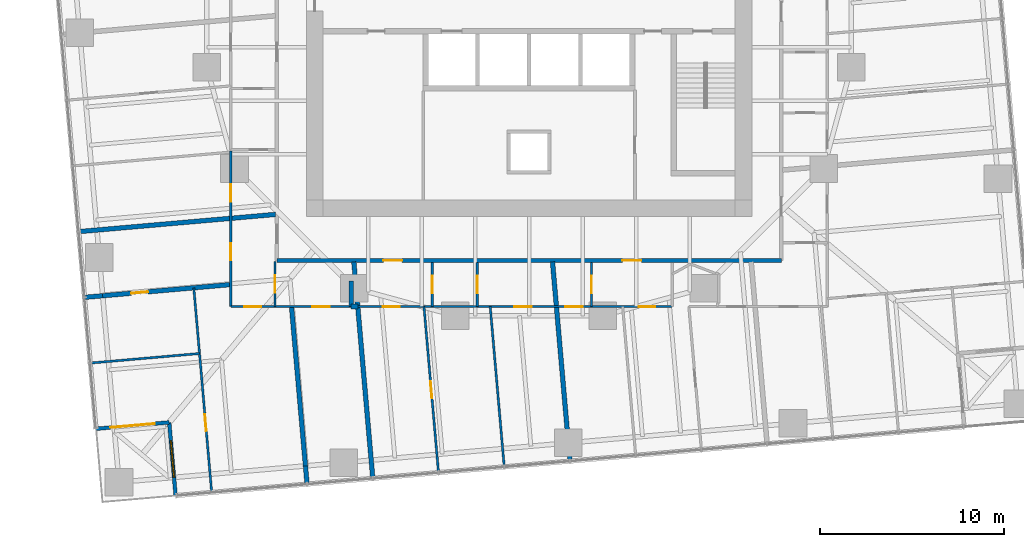
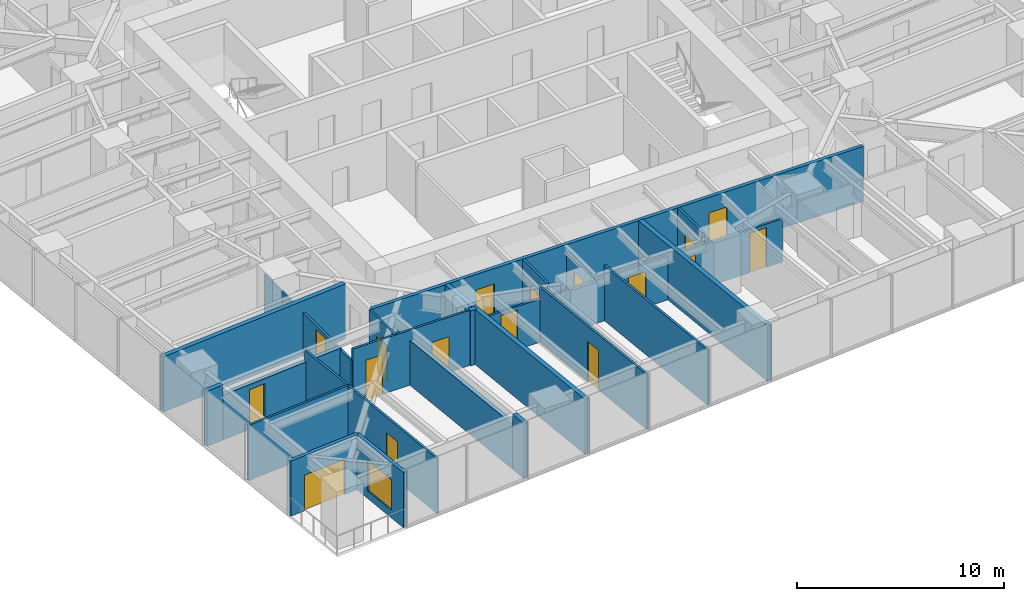
# One storey, part 8 of 14: 23 walls, 18 doors, 1 window, 19 openings.
"""IFC4 building model written with IfcOpenShell, lengths in metres."""

from ifc_helpers import new_model, si_unit, direction, frame, frame_2d, origin, place, context, subcontext, project, spatial, rectangle, extrude, material, layer, layer_set, type_object, element, fill, save


model = new_model("IFC4")

# Units and contexts
model_context = context("Model", 3, precision=1e-05, world=origin(), true_north=direction((0.0, 1.0)))
body_context = subcontext(model_context, "Body", "Model", "MODEL_VIEW")
ifc_project = project(units=[si_unit("LENGTHUNIT", "METRE"), si_unit("AREAUNIT", "SQUARE_METRE"), si_unit("VOLUMEUNIT", "CUBIC_METRE"), si_unit("PLANEANGLEUNIT", "RADIAN"), si_unit("MASSUNIT", "GRAM", prefix="KILO")], contexts=[model_context])

# Site, building, storey
site_placement = place(None, origin())
site = spatial("IfcSite", under=ifc_project, at=site_placement, CompositionType="ELEMENT")
building_placement = place(site_placement, origin())
building = spatial("IfcBuilding", under=site, at=building_placement, Name="Torsade Residences", CompositionType="ELEMENT")
storey_placement = place(building_placement, frame((0.0, 0.0, 57.39990234375)))
storey = spatial("IfcBuildingStorey", under=building, at=storey_placement, Name="L15", CompositionType="ELEMENT", Elevation=57.39990234375)

# Wall, openings, doors
ifc_material_1 = material(Name="Plasterboard on steel stud", Category="steel")
ifc_layer_1 = layer(ifc_material_1, 0.199951171875)
ifc_layer_set_1 = layer_set([ifc_layer_1], Name="Plasterboard on steel stud")
wall_type_1 = type_object("IfcWallType", Name="CORRIDOR WALL 200", PredefinedType="PARTITIONING", material=ifc_layer_set_1)
wall_1_placement = place(storey_placement, frame((26.300048828125, 15.5, 0.0), z_axis=(0.0, 0.0, 1.0), x_axis=(1.0, 0.0, 0.0)))
wall_1 = element("IfcWall", 1, at=wall_1_placement, inside=storey, type_object=wall_type_1, Name="Corridor wall L15", PredefinedType="PARTITIONING", context=body_context, shape_type="SweptSolid", body=[
    extrude(rectangle(XDim=27.39990234375, YDim=0.199951171875, at=frame_2d((13.699951171875, 0.0))), origin(), (0.0, 0.0, 1.0), 3.25),
])
opening_1_placement = place(wall_1_placement, frame((18.775634765625, 0.0, 0.0)))
opening_1 = element("IfcOpeningElement", 2, at=opening_1_placement, cuts=wall_1, Name="Opening D01", PredefinedType="OPENING", context=body_context, shape_type="SweptSolid", body=[
    extrude(rectangle(XDim=1.02001953125, YDim=2.340087890625, at=frame_2d((0.510009765625, 1.169921875))), frame((0.0, 0.10986328125, 0.0), z_axis=(0.0, -1.0, 0.0), x_axis=(1.0, 0.0, 0.0)), (0.0, 0.0, 1.0), 0.219970703125),
])
opening_2_placement = place(wall_1_placement, frame((5.79296875, 0.0, 0.0)))
opening_2 = element("IfcOpeningElement", 3, at=opening_2_placement, cuts=wall_1, Name="Opening D01", PredefinedType="OPENING", context=body_context, shape_type="SweptSolid", body=[
    extrude(rectangle(XDim=1.02001953125, YDim=2.340087890625, at=frame_2d((0.510009765625, 1.169921875))), frame((0.0, 0.10986328125, 0.0), z_axis=(0.0, -1.0, 0.0), x_axis=(1.0, 0.0, 0.0)), (0.0, 0.0, 1.0), 0.219970703125),
])
ifc_material_2 = material(Name="Solid-core timber fire door", Category="wood")
door_type_1 = type_object("IfcDoorType", Name="APARTMENT ENTRY DOOR 1020x2340", OperationType="NOTDEFINED", PredefinedType="DOOR", material=ifc_material_2)
door_1_placement = place(opening_1_placement, origin())
door_1 = element("IfcDoor", 4, at=door_1_placement, inside=storey, type_object=door_type_1, Name="Door Residential corridor to Kitchen and dining", OperationType="SINGLE_SWING_RIGHT", OverallHeight=2.340087890625, OverallWidth=1.02001953125, PredefinedType="DOOR", context=body_context, shape_type="SweptSolid", body=[
    extrude(rectangle(XDim=1.02001953125, YDim=2.340087890625, at=frame_2d((0.510009765625, 1.169921875))), frame((0.0, 0.02490234375, 0.0), z_axis=(0.0, -1.0, 0.0), x_axis=(1.0, 0.0, 0.0)), (0.0, 0.0, 1.0), 0.050048828125),
])
fill(opening_1, door_1)
door_2_placement = place(opening_2_placement, origin())
door_2 = element("IfcDoor", 5, at=door_2_placement, inside=storey, type_object=door_type_1, Name="Door Residential corridor to Kitchen and dining", OperationType="SINGLE_SWING_LEFT", OverallHeight=2.340087890625, OverallWidth=1.02001953125, PredefinedType="DOOR", context=body_context, shape_type="SweptSolid", body=[
    extrude(rectangle(XDim=1.02001953125, YDim=2.340087890625, at=frame_2d((0.510009765625, 1.169921875))), frame((0.0, 0.02490234375, 0.0), z_axis=(0.0, -1.0, 0.0), x_axis=(1.0, 0.0, 0.0)), (0.0, 0.0, 1.0), 0.050048828125),
])
fill(opening_2, door_2)

ifc_material_3 = material(Name="Plasterboard on steel stud", Category="steel")
ifc_layer_2 = layer(ifc_material_3, 0.1201171875)
ifc_layer_set_2 = layer_set([ifc_layer_2], Name="Plasterboard on steel stud")
wall_type_2 = type_object("IfcWallType", Name="PARTITION 120", PredefinedType="PARTITIONING", material=ifc_layer_set_2)
wall_2_placement = place(storey_placement, frame((23.800048828125, 13.0, 0.0), z_axis=(0.0, 0.0, 1.0), x_axis=(0.0, 1.0, 0.0)))
wall_2 = element("IfcWall", 6, at=wall_2_placement, inside=storey, type_object=wall_type_2, Name="Partition L15", PredefinedType="PARTITIONING", context=body_context, shape_type="SweptSolid", body=[
    extrude(rectangle(XDim=8.438720703125, YDim=0.1201171875, at=frame_2d((4.21923828125, 0.0))), origin(), (0.0, 0.0, 1.0), 2.549072265625),
])
opening_3_placement = place(wall_2_placement, frame((2.508056640625, 0.0, 0.0)))
opening_3 = element("IfcOpeningElement", 7, at=opening_3_placement, cuts=wall_2, Name="Opening D02", PredefinedType="OPENING", context=body_context, shape_type="SweptSolid", body=[
    extrude(rectangle(XDim=0.919921875, YDim=2.340087890625, at=frame_2d((0.4599609375, 1.169921875))), frame((0.0, 0.070068359375, 0.0), z_axis=(0.0, -1.0, 0.0), x_axis=(1.0, 0.0, 0.0)), (0.0, 0.0, 1.0), 0.14013671875),
])
opening_4_placement = place(wall_2_placement, frame((5.685302734375, 0.0, 0.0)))
opening_4 = element("IfcOpeningElement", 8, at=opening_4_placement, cuts=wall_2, Name="Opening D05", PredefinedType="OPENING", context=body_context, shape_type="SweptSolid", body=[
    extrude(rectangle(XDim=0.9599609375, YDim=2.10009765625, at=frame_2d((0.47998046875, 1.050048828125))), frame((0.0, 0.070068359375, 0.0), z_axis=(0.0, -1.0, 0.0), x_axis=(1.0, 0.0, 0.0)), (0.0, 0.0, 1.0), 0.14013671875),
])
ifc_material_4 = material(Name="Hollow-core timber door in a steel cavity frame", Category="steel")
door_type_2 = type_object("IfcDoorType", Name="BATHROOM CAVITY SLIDING DOOR 960", OperationType="SLIDING_TO_LEFT", PredefinedType="DOOR", material=ifc_material_4)
door_3_placement = place(opening_4_placement, origin())
door_3 = element("IfcDoor", 9, at=door_3_placement, inside=storey, type_object=door_type_2, Name="Door Bathroom to Bedroom 2", OperationType="SLIDING_TO_LEFT", OverallHeight=2.10009765625, OverallWidth=0.9599609375, PredefinedType="DOOR", context=body_context, shape_type="SweptSolid", body=[
    extrude(rectangle(XDim=0.9599609375, YDim=2.10009765625, at=frame_2d((0.47998046875, 1.050048828125))), frame((0.0, 0.02490234375, 0.0), z_axis=(0.0, -1.0, 0.0), x_axis=(1.0, 0.0, 0.0)), (0.0, 0.0, 1.0), 0.050048828125),
])
fill(opening_4, door_3)
ifc_material_5 = material(Name="Hollow-core timber door", Category="wood")
door_type_3 = type_object("IfcDoorType", Name="INTERNAL DOOR 920x2340", OperationType="NOTDEFINED", PredefinedType="DOOR", material=ifc_material_5)
door_4_placement = place(opening_3_placement, origin())
door_4 = element("IfcDoor", 10, at=door_4_placement, inside=storey, type_object=door_type_3, Name="Door Kitchen and dining to Study", OperationType="SINGLE_SWING_RIGHT", OverallHeight=2.340087890625, OverallWidth=0.919921875, PredefinedType="DOOR", context=body_context, shape_type="SweptSolid", body=[
    extrude(rectangle(XDim=0.919921875, YDim=2.340087890625, at=frame_2d((0.4599609375, 1.169921875))), frame((0.0, 0.02490234375, 0.0), z_axis=(0.0, -1.0, 0.0), x_axis=(1.0, 0.0, 0.0)), (0.0, 0.0, 1.0), 0.050048828125),
])
fill(opening_3, door_4)

# Wall, opening, door
wall_3_placement = place(storey_placement, frame((26.199951171875, 15.449951171875, 0.0), z_axis=(0.0, 0.0, 1.0), x_axis=(0.0, -1.0, 0.0)))
wall_3 = element("IfcWall", 11, at=wall_3_placement, inside=storey, type_object=wall_type_2, Name="Partition L15", PredefinedType="PARTITIONING", context=body_context, shape_type="SweptSolid", body=[
    extrude(rectangle(XDim=2.449951171875, YDim=0.1201171875, at=frame_2d((1.22509765625, 0.0))), origin(), (0.0, 0.0, 1.0), 3.25),
])
opening_5_placement = place(wall_3_placement, frame((0.7451171875, 0.0, 0.0)))
opening_5 = element("IfcOpeningElement", 12, at=opening_5_placement, cuts=wall_3, Name="Opening D05", PredefinedType="OPENING", context=body_context, shape_type="SweptSolid", body=[
    extrude(rectangle(XDim=0.9599609375, YDim=2.10009765625, at=frame_2d((0.47998046875, 1.050048828125))), frame((0.0, 0.070068359375, 0.0), z_axis=(0.0, -1.0, 0.0), x_axis=(1.0, 0.0, 0.0)), (0.0, 0.0, 1.0), 0.14013671875),
])
door_5_placement = place(opening_5_placement, origin())
door_5 = element("IfcDoor", 13, at=door_5_placement, inside=storey, type_object=door_type_2, Name="Door Kitchen and dining to Bathroom", OperationType="SLIDING_TO_LEFT", OverallHeight=2.10009765625, OverallWidth=0.9599609375, PredefinedType="DOOR", context=body_context, shape_type="SweptSolid", body=[
    extrude(rectangle(XDim=0.9599609375, YDim=2.10009765625, at=frame_2d((0.47998046875, 1.050048828125))), frame((0.0, 0.02490234375, 0.0), z_axis=(0.0, -1.0, 0.0), x_axis=(1.0, 0.0, 0.0)), (0.0, 0.0, 1.0), 0.050048828125),
])
fill(opening_5, door_5)

# Wall, openings, doors
wall_4_placement = place(storey_placement, frame((30.333251953125, 13.0, 0.0), z_axis=(0.0, 0.0, 1.0), x_axis=(-1.0, 0.0, 0.0)))
wall_4 = element("IfcWall", 14, at=wall_4_placement, inside=storey, type_object=wall_type_2, Name="Partition L15", PredefinedType="PARTITIONING", context=body_context, shape_type="SweptSolid", body=[
    extrude(rectangle(XDim=6.533203125, YDim=0.1201171875, at=frame_2d((3.2666015625, 0.0))), origin(), (0.0, 0.0, 1.0), 3.25),
])
opening_6_placement = place(wall_4_placement, frame((4.873291015625, 0.0, 0.0)))
opening_6 = element("IfcOpeningElement", 15, at=opening_6_placement, cuts=wall_4, Name="Opening D02", PredefinedType="OPENING", context=body_context, shape_type="SweptSolid", body=[
    extrude(rectangle(XDim=0.919921875, YDim=2.340087890625, at=frame_2d((0.4599609375, 1.169921875))), frame((0.0, 0.070068359375, 0.0), z_axis=(0.0, -1.0, 0.0), x_axis=(1.0, 0.0, 0.0)), (0.0, 0.0, 1.0), 0.14013671875),
])
opening_7_placement = place(wall_4_placement, frame((1.162109375, 0.0, 0.0)))
opening_7 = element("IfcOpeningElement", 16, at=opening_7_placement, cuts=wall_4, Name="Opening D05", PredefinedType="OPENING", context=body_context, shape_type="SweptSolid", body=[
    extrude(rectangle(XDim=0.9599609375, YDim=2.10009765625, at=frame_2d((0.47998046875, 1.050048828125))), frame((0.0, 0.070068359375, 0.0), z_axis=(0.0, -1.0, 0.0), x_axis=(1.0, 0.0, 0.0)), (0.0, 0.0, 1.0), 0.14013671875),
])
door_6_placement = place(opening_7_placement, origin())
door_6 = element("IfcDoor", 17, at=door_6_placement, inside=storey, type_object=door_type_2, Name="Door Bathroom to Bedroom 1", OperationType="SLIDING_TO_LEFT", OverallHeight=2.10009765625, OverallWidth=0.9599609375, PredefinedType="DOOR", context=body_context, shape_type="SweptSolid", body=[
    extrude(rectangle(XDim=0.9599609375, YDim=2.10009765625, at=frame_2d((0.47998046875, 1.050048828125))), frame((0.0, 0.02490234375, 0.0), z_axis=(0.0, -1.0, 0.0), x_axis=(1.0, 0.0, 0.0)), (0.0, 0.0, 1.0), 0.050048828125),
])
fill(opening_7, door_6)
door_7_placement = place(opening_6_placement, origin())
door_7 = element("IfcDoor", 18, at=door_7_placement, inside=storey, type_object=door_type_3, Name="Door Kitchen and dining to Living room", OperationType="SINGLE_SWING_LEFT", OverallHeight=2.340087890625, OverallWidth=0.919921875, PredefinedType="DOOR", context=body_context, shape_type="SweptSolid", body=[
    extrude(rectangle(XDim=0.919921875, YDim=2.340087890625, at=frame_2d((0.4599609375, 1.169921875))), frame((0.0, 0.02490234375, 0.0), z_axis=(0.0, -1.0, 0.0), x_axis=(1.0, 0.0, 0.0)), (0.0, 0.0, 1.0), 0.050048828125),
])
fill(opening_6, door_7)

# Wall, opening, door
wall_5_placement = place(storey_placement, frame((22.75927734375, 2.934326171875, 0.0), z_axis=(0.0, 0.0, 1.0), x_axis=(-0.087130477128, 0.996196908224, 0.0)))
wall_5 = element("IfcWall", 19, at=wall_5_placement, inside=storey, type_object=wall_type_2, Name="Partition L15", PredefinedType="PARTITIONING", context=body_context, shape_type="SweptSolid", body=[
    extrude(rectangle(XDim=11.126708984375, YDim=0.1201171875, at=frame_2d((5.5634765625, 0.0))), origin(), (0.0, 0.0, 1.0), 3.25),
])
opening_8_placement = place(wall_5_placement, frame((3.316650390625, 0.0, 0.0)))
opening_8 = element("IfcOpeningElement", 20, at=opening_8_placement, cuts=wall_5, Name="Opening D02", PredefinedType="OPENING", context=body_context, shape_type="SweptSolid", body=[
    extrude(rectangle(XDim=0.919921875, YDim=2.340087890625, at=frame_2d((0.4599609375, 1.169921875))), frame((0.0, 0.070068359375, 0.0), z_axis=(0.0, -1.0, 0.0), x_axis=(1.0, 0.0, 0.0)), (0.0, 0.0, 1.0), 0.14013671875),
])
door_8_placement = place(opening_8_placement, origin())
door_8 = element("IfcDoor", 21, at=door_8_placement, inside=storey, type_object=door_type_3, Name="Door Living room to Bedroom 2", OperationType="SINGLE_SWING_LEFT", OverallHeight=2.340087890625, OverallWidth=0.919921875, PredefinedType="DOOR", context=body_context, shape_type="SweptSolid", body=[
    extrude(rectangle(XDim=0.919921875, YDim=2.340087890625, at=frame_2d((0.4599609375, 1.169921875))), frame((0.0, 0.02490234375, 0.0), z_axis=(0.0, -1.0, 0.0), x_axis=(1.0, 0.0, 0.0)), (0.0, 0.0, 1.0), 0.050048828125),
])
fill(opening_8, door_8)

# Wall
wall_6_placement = place(storey_placement, frame((16.198486328125, 9.9326171875, 0.0), z_axis=(0.0, 0.0, 1.0), x_axis=(0.996196712973, 0.08713270948, 0.0)))
element("IfcWall", 22, at=wall_6_placement, inside=storey, type_object=wall_type_2, Name="Partition L15", PredefinedType="PARTITIONING", context=body_context, shape_type="SweptSolid", body=[
    extrude(rectangle(XDim=5.926025390625, YDim=0.1201171875, at=frame_2d((2.962890625, 0.0))), origin(), (0.0, 0.0, 1.0), 3.25),
])

# Wall, opening, door
wall_7_placement = place(storey_placement, frame((34.738037109375, 15.39990234375, 0.0), z_axis=(0.0, 0.0, 1.0), x_axis=(0.0, -1.0, 0.0)))
wall_7 = element("IfcWall", 23, at=wall_7_placement, inside=storey, type_object=wall_type_2, Name="Partition L15", PredefinedType="PARTITIONING", context=body_context, shape_type="SweptSolid", body=[
    extrude(rectangle(XDim=2.39990234375, YDim=0.1201171875, at=frame_2d((1.199951171875, 0.0))), origin(), (0.0, 0.0, 1.0), 3.25),
])
opening_9_placement = place(wall_7_placement, frame((0.719970703125, 0.0, 0.0)))
opening_9 = element("IfcOpeningElement", 24, at=opening_9_placement, cuts=wall_7, Name="Opening D05", PredefinedType="OPENING", context=body_context, shape_type="SweptSolid", body=[
    extrude(rectangle(XDim=0.9599609375, YDim=2.10009765625, at=frame_2d((0.47998046875, 1.050048828125))), frame((0.0, 0.070068359375, 0.0), z_axis=(0.0, -1.0, 0.0), x_axis=(1.0, 0.0, 0.0)), (0.0, 0.0, 1.0), 0.14013671875),
])
door_9_placement = place(opening_9_placement, origin())
door_9 = element("IfcDoor", 25, at=door_9_placement, inside=storey, type_object=door_type_2, Name="Door Kitchen and dining to Ensuite", OperationType="SLIDING_TO_LEFT", OverallHeight=2.10009765625, OverallWidth=0.9599609375, PredefinedType="DOOR", context=body_context, shape_type="SweptSolid", body=[
    extrude(rectangle(XDim=0.9599609375, YDim=2.10009765625, at=frame_2d((0.47998046875, 1.050048828125))), frame((0.0, 0.02490234375, 0.0), z_axis=(0.0, -1.0, 0.0), x_axis=(1.0, 0.0, 0.0)), (0.0, 0.0, 1.0), 0.050048828125),
])
fill(opening_9, door_9)

# Wall, openings, doors
wall_8_placement = place(storey_placement, frame((47.7783203125, 13.0, 0.0), z_axis=(0.0, 0.0, 1.0), x_axis=(-1.0, 0.0, 0.0)))
wall_8 = element("IfcWall", 26, at=wall_8_placement, inside=storey, type_object=wall_type_2, Name="Partition L15", PredefinedType="PARTITIONING", context=body_context, shape_type="SweptSolid", body=[
    extrude(rectangle(XDim=17.08203125, YDim=0.1201171875, at=frame_2d((8.541015625, 0.0))), origin(), (0.0, 0.0, 1.0), 2.549072265625),
])
opening_10_placement = place(wall_8_placement, frame((0.912109375, 0.0, 0.0)))
opening_10 = element("IfcOpeningElement", 27, at=opening_10_placement, cuts=wall_8, Name="Opening D02", PredefinedType="OPENING", context=body_context, shape_type="SweptSolid", body=[
    extrude(rectangle(XDim=0.919921875, YDim=2.340087890625, at=frame_2d((0.4599609375, 1.169921875))), frame((0.0, 0.070068359375, 0.0), z_axis=(0.0, -1.0, 0.0), x_axis=(1.0, 0.0, 0.0)), (0.0, 0.0, 1.0), 0.14013671875),
])
opening_11_placement = place(wall_8_placement, frame((14.79833984375, 0.0, 0.0)))
opening_11 = element("IfcOpeningElement", 28, at=opening_11_placement, cuts=wall_8, Name="Opening D02", PredefinedType="OPENING", context=body_context, shape_type="SweptSolid", body=[
    extrude(rectangle(XDim=0.919921875, YDim=2.340087890625, at=frame_2d((0.4599609375, 1.169921875))), frame((0.0, 0.070068359375, 0.0), z_axis=(0.0, -1.0, 0.0), x_axis=(1.0, 0.0, 0.0)), (0.0, 0.0, 1.0), 0.14013671875),
])
opening_12_placement = place(wall_8_placement, frame((4.85791015625, 0.0, 0.0)))
opening_12 = element("IfcOpeningElement", 29, at=opening_12_placement, cuts=wall_8, Name="Opening D05", PredefinedType="OPENING", context=body_context, shape_type="SweptSolid", body=[
    extrude(rectangle(XDim=0.9599609375, YDim=2.10009765625, at=frame_2d((0.47998046875, 1.050048828125))), frame((0.0, 0.070068359375, 0.0), z_axis=(0.0, -1.0, 0.0), x_axis=(1.0, 0.0, 0.0)), (0.0, 0.0, 1.0), 0.14013671875),
])
opening_13_placement = place(wall_8_placement, frame((7.634521484375, 0.0, 0.0)))
opening_13 = element("IfcOpeningElement", 30, at=opening_13_placement, cuts=wall_8, Name="Opening D05", PredefinedType="OPENING", context=body_context, shape_type="SweptSolid", body=[
    extrude(rectangle(XDim=0.9599609375, YDim=2.10009765625, at=frame_2d((0.47998046875, 1.050048828125))), frame((0.0, 0.070068359375, 0.0), z_axis=(0.0, -1.0, 0.0), x_axis=(1.0, 0.0, 0.0)), (0.0, 0.0, 1.0), 0.14013671875),
])
door_10_placement = place(opening_12_placement, origin())
door_10 = element("IfcDoor", 31, at=door_10_placement, inside=storey, type_object=door_type_2, Name="Door Ensuite to Living room", OperationType="SLIDING_TO_LEFT", OverallHeight=2.10009765625, OverallWidth=0.9599609375, PredefinedType="DOOR", context=body_context, shape_type="SweptSolid", body=[
    extrude(rectangle(XDim=0.9599609375, YDim=2.10009765625, at=frame_2d((0.47998046875, 1.050048828125))), frame((0.0, 0.02490234375, 0.0), z_axis=(0.0, -1.0, 0.0), x_axis=(1.0, 0.0, 0.0)), (0.0, 0.0, 1.0), 0.050048828125),
])
fill(opening_12, door_10)
door_11_placement = place(opening_13_placement, origin())
door_11 = element("IfcDoor", 32, at=door_11_placement, inside=storey, type_object=door_type_2, Name="Door Bathroom to Bedroom 2", OperationType="SLIDING_TO_LEFT", OverallHeight=2.10009765625, OverallWidth=0.9599609375, PredefinedType="DOOR", context=body_context, shape_type="SweptSolid", body=[
    extrude(rectangle(XDim=0.9599609375, YDim=2.10009765625, at=frame_2d((0.47998046875, 1.050048828125))), frame((0.0, 0.02490234375, 0.0), z_axis=(0.0, -1.0, 0.0), x_axis=(1.0, 0.0, 0.0)), (0.0, 0.0, 1.0), 0.050048828125),
])
fill(opening_13, door_11)
door_12_placement = place(opening_10_placement, origin())
door_12 = element("IfcDoor", 33, at=door_12_placement, inside=storey, type_object=door_type_3, Name="Door Kitchen and dining to Bedroom 1", OperationType="SINGLE_SWING_RIGHT", OverallHeight=2.340087890625, OverallWidth=0.919921875, PredefinedType="DOOR", context=body_context, shape_type="SweptSolid", body=[
    extrude(rectangle(XDim=0.919921875, YDim=2.340087890625, at=frame_2d((0.4599609375, 1.169921875))), frame((0.0, 0.02490234375, 0.0), z_axis=(0.0, -1.0, 0.0), x_axis=(1.0, 0.0, 0.0)), (0.0, 0.0, 1.0), 0.050048828125),
])
fill(opening_10, door_12)
door_13_placement = place(opening_11_placement, origin())
door_13 = element("IfcDoor", 34, at=door_13_placement, inside=storey, type_object=door_type_3, Name="Door Kitchen and dining to Living room", OperationType="SINGLE_SWING_RIGHT", OverallHeight=2.340087890625, OverallWidth=0.919921875, PredefinedType="DOOR", context=body_context, shape_type="SweptSolid", body=[
    extrude(rectangle(XDim=0.919921875, YDim=2.340087890625, at=frame_2d((0.4599609375, 1.169921875))), frame((0.0, 0.02490234375, 0.0), z_axis=(0.0, -1.0, 0.0), x_axis=(1.0, 0.0, 0.0)), (0.0, 0.0, 1.0), 0.050048828125),
])
fill(opening_11, door_13)

# Wall, opening, door
wall_9_placement = place(storey_placement, frame((37.18505859375, 13.0, 0.0), z_axis=(0.0, 0.0, 1.0), x_axis=(0.0, 1.0, 0.0)))
wall_9 = element("IfcWall", 35, at=wall_9_placement, inside=storey, type_object=wall_type_2, Name="Partition L15", PredefinedType="PARTITIONING", context=body_context, shape_type="SweptSolid", body=[
    extrude(rectangle(XDim=2.39990234375, YDim=0.1201171875, at=frame_2d((1.199951171875, 0.0))), origin(), (0.0, 0.0, 1.0), 2.796142578125),
])
opening_14_placement = place(wall_9_placement, frame((0.719970703125, 0.0, 0.0)))
opening_14 = element("IfcOpeningElement", 36, at=opening_14_placement, cuts=wall_9, Name="Opening D05", PredefinedType="OPENING", context=body_context, shape_type="SweptSolid", body=[
    extrude(rectangle(XDim=0.9599609375, YDim=2.10009765625, at=frame_2d((0.47998046875, 1.050048828125))), frame((0.0, 0.070068359375, 0.0), z_axis=(0.0, -1.0, 0.0), x_axis=(1.0, 0.0, 0.0)), (0.0, 0.0, 1.0), 0.14013671875),
])
door_14_placement = place(opening_14_placement, origin())
door_14 = element("IfcDoor", 37, at=door_14_placement, inside=storey, type_object=door_type_2, Name="Door Ensuite to Bathroom", OperationType="SLIDING_TO_LEFT", OverallHeight=2.10009765625, OverallWidth=0.9599609375, PredefinedType="DOOR", context=body_context, shape_type="SweptSolid", body=[
    extrude(rectangle(XDim=0.9599609375, YDim=2.10009765625, at=frame_2d((0.47998046875, 1.050048828125))), frame((0.0, 0.02490234375, 0.0), z_axis=(0.0, -1.0, 0.0), x_axis=(1.0, 0.0, 0.0)), (0.0, 0.0, 1.0), 0.050048828125),
])
fill(opening_14, door_14)

wall_10_placement = place(storey_placement, frame((34.293212890625, 13.0, 0.0), z_axis=(0.0, 0.0, 1.0), x_axis=(0.087160907995, -0.996194246178, 0.0)))
wall_10 = element("IfcWall", 38, at=wall_10_placement, inside=storey, type_object=wall_type_2, Name="Partition L15", PredefinedType="PARTITIONING", context=body_context, shape_type="SweptSolid", body=[
    extrude(rectangle(XDim=9.022216796875, YDim=0.1201171875, at=frame_2d((4.51123046875, 0.0))), origin(), (0.0, 0.0, 1.0), 3.25),
])
opening_15_placement = place(wall_10_placement, frame((4.071044921875, 0.0, 0.0)))
opening_15 = element("IfcOpeningElement", 39, at=opening_15_placement, cuts=wall_10, Name="Opening D02", PredefinedType="OPENING", context=body_context, shape_type="SweptSolid", body=[
    extrude(rectangle(XDim=0.919921875, YDim=2.340087890625, at=frame_2d((0.4599609375, 1.169921875))), frame((0.0, 0.070068359375, 0.0), z_axis=(0.0, -1.0, 0.0), x_axis=(1.0, 0.0, 0.0)), (0.0, 0.0, 1.0), 0.14013671875),
])
door_15_placement = place(opening_15_placement, origin())
door_15 = element("IfcDoor", 40, at=door_15_placement, inside=storey, type_object=door_type_3, Name="Door Living room to Bedroom 1", OperationType="SINGLE_SWING_RIGHT", OverallHeight=2.340087890625, OverallWidth=0.919921875, PredefinedType="DOOR", context=body_context, shape_type="SweptSolid", body=[
    extrude(rectangle(XDim=0.919921875, YDim=2.340087890625, at=frame_2d((0.4599609375, 1.169921875))), frame((0.0, 0.02490234375, 0.0), z_axis=(0.0, -1.0, 0.0), x_axis=(1.0, 0.0, 0.0)), (0.0, 0.0, 1.0), 0.050048828125),
])
fill(opening_15, door_15)

# Wall
wall_11_placement = place(storey_placement, frame((37.890380859375, 13.0, 0.0), z_axis=(0.0, 0.0, 1.0), x_axis=(0.087158256162, -0.996194478193, 0.0)))
element("IfcWall", 41, at=wall_11_placement, inside=storey, type_object=wall_type_2, Name="Partition L15", PredefinedType="PARTITIONING", context=body_context, shape_type="SweptSolid", body=[
    extrude(rectangle(XDim=8.708740234375, YDim=0.1201171875, at=frame_2d((4.3544921875, 0.0))), origin(), (0.0, 0.0, 1.0), 3.25),
])

# Wall, opening, door
wall_12_placement = place(storey_placement, frame((43.39306640625, 13.0, 0.0), z_axis=(0.0, 0.0, 1.0), x_axis=(0.0, 1.0, 0.0)))
wall_12 = element("IfcWall", 42, at=wall_12_placement, inside=storey, type_object=wall_type_2, Name="Partition L15", PredefinedType="PARTITIONING", context=body_context, shape_type="SweptSolid", body=[
    extrude(rectangle(XDim=2.39990234375, YDim=0.1201171875, at=frame_2d((1.199951171875, 0.0))), origin(), (0.0, 0.0, 1.0), 3.25),
])
opening_16_placement = place(wall_12_placement, frame((0.719970703125, 0.0, 0.0)))
opening_16 = element("IfcOpeningElement", 43, at=opening_16_placement, cuts=wall_12, Name="Opening D05", PredefinedType="OPENING", context=body_context, shape_type="SweptSolid", body=[
    extrude(rectangle(XDim=0.9599609375, YDim=2.10009765625, at=frame_2d((0.47998046875, 1.050048828125))), frame((0.0, 0.070068359375, 0.0), z_axis=(0.0, -1.0, 0.0), x_axis=(1.0, 0.0, 0.0)), (0.0, 0.0, 1.0), 0.14013671875),
])
door_16_placement = place(opening_16_placement, origin())
door_16 = element("IfcDoor", 44, at=door_16_placement, inside=storey, type_object=door_type_2, Name="Door Kitchen and dining to Ensuite", OperationType="SLIDING_TO_LEFT", OverallHeight=2.10009765625, OverallWidth=0.9599609375, PredefinedType="DOOR", context=body_context, shape_type="SweptSolid", body=[
    extrude(rectangle(XDim=0.9599609375, YDim=2.10009765625, at=frame_2d((0.47998046875, 1.050048828125))), frame((0.0, 0.02490234375, 0.0), z_axis=(0.0, -1.0, 0.0), x_axis=(1.0, 0.0, 0.0)), (0.0, 0.0, 1.0), 0.050048828125),
])
fill(opening_16, door_16)

# Walls
ifc_material_6 = material(Name="Masonry-lined stud party wall", Category="masonry")
ifc_layer_3 = layer(ifc_material_6, 0.25)
ifc_layer_set_3 = layer_set([ifc_layer_3], Name="Masonry-lined stud party wall")
wall_type_3 = type_object("IfcWallType", Name="PARTY WALL 250", PredefinedType="PARTITIONING", material=ifc_layer_set_3)
wall_13_placement = place(storey_placement, frame((15.533935546875, 17.068359375, 0.0), z_axis=(0.0, 0.0, 1.0), x_axis=(0.996193939644, 0.08716441141, 0.0)))
element("IfcWall", 45, at=wall_13_placement, inside=storey, type_object=wall_type_3, Name="Party wall L15", PredefinedType="PARTITIONING", context=body_context, shape_type="SweptSolid", body=[
    extrude(rectangle(XDim=10.73583984375, YDim=0.25, at=frame_2d((5.367919921875, 0.0))), origin(), (0.0, 0.0, 1.0), 3.25),
])
wall_14_placement = place(storey_placement, frame((42.222412109375, 4.596923828125, 0.0), z_axis=(0.0, 0.0, 1.0), x_axis=(-0.087140211333, 0.996196056792, 0.0)))
element("IfcWall", 46, at=wall_14_placement, inside=storey, type_object=wall_type_3, Name="Party wall L15", PredefinedType="PARTITIONING", context=body_context, shape_type="SweptSolid", body=[
    extrude(rectangle(XDim=10.873291015625, YDim=0.25, at=frame_2d((5.4365234375, 0.0))), origin(), (0.0, 0.0, 1.0), 3.25),
])
wall_15_placement = place(storey_placement, frame((31.513427734375, 3.66015625, 0.0), z_axis=(0.0, 0.0, 1.0), x_axis=(-0.087168232078, 0.996193605338, 0.0)))
element("IfcWall", 47, at=wall_15_placement, inside=storey, type_object=wall_type_3, Name="Party wall L15", PredefinedType="PARTITIONING", context=body_context, shape_type="SweptSolid", body=[
    extrude(rectangle(XDim=11.813720703125, YDim=0.25, at=frame_2d((5.90673828125, 0.0))), origin(), (0.0, 0.0, 1.0), 3.25),
])
wall_16_placement = place(storey_placement, frame((30.333251953125, 14.39599609375, 0.0), z_axis=(0.0, 0.0, 1.0), x_axis=(0.0, -1.0, 0.0)))
element("IfcWall", 48, at=wall_16_placement, inside=storey, type_object=wall_type_3, Name="Party wall L15", PredefinedType="PARTITIONING", context=body_context, shape_type="SweptSolid", body=[
    extrude(rectangle(XDim=1.39599609375, YDim=0.25, at=frame_2d((0.697998046875, 0.0))), origin(), (0.0, 0.0, 1.0), 3.25),
])
wall_17_placement = place(storey_placement, frame((15.88623046875, 13.502197265625, 0.0), z_axis=(0.0, 0.0, 1.0), x_axis=(0.996187918168, 0.087233202944, 0.0)))
element("IfcWall", 49, at=wall_17_placement, inside=storey, type_object=wall_type_3, Name="Party wall L15", PredefinedType="PARTITIONING", context=body_context, shape_type="SweptSolid", body=[
    extrude(rectangle(XDim=0.9599609375, YDim=0.25, at=frame_2d((0.47998046875, 0.0))), origin(), (0.0, 0.0, 1.0), 3.25),
])

# Wall, opening, door
wall_18_placement = place(storey_placement, frame((16.842529296875, 13.5859375, 0.0), z_axis=(0.0, 0.0, 1.0), x_axis=(0.996195462691, 0.087147002895, 0.0)))
wall_18 = element("IfcWall", 50, at=wall_18_placement, inside=storey, type_object=wall_type_3, Name="Party wall L15", PredefinedType="PARTITIONING", context=body_context, shape_type="SweptSolid", body=[
    extrude(rectangle(XDim=6.984130859375, YDim=0.25, at=frame_2d((3.4921875, 0.0))), origin(), (0.0, 0.0, 1.0), 2.63818359375),
])
opening_17_placement = place(wall_18_placement, frame((1.548095703125, 0.0, 0.0)))
opening_17 = element("IfcOpeningElement", 51, at=opening_17_placement, cuts=wall_18, Name="Opening D02", PredefinedType="OPENING", context=body_context, shape_type="SweptSolid", body=[
    extrude(rectangle(XDim=0.919921875, YDim=2.340087890625, at=frame_2d((0.4599609375, 1.169921875))), frame((0.0, 0.135009765625, 0.0), z_axis=(0.0, -1.0, 0.0), x_axis=(1.0, 0.0, 0.0)), (0.0, 0.0, 1.0), 0.27001953125),
])
door_17_placement = place(opening_17_placement, origin())
door_17 = element("IfcDoor", 52, at=door_17_placement, inside=storey, type_object=door_type_3, Name="Door Study to Family room", OperationType="SINGLE_SWING_LEFT", OverallHeight=2.340087890625, OverallWidth=0.919921875, PredefinedType="DOOR", context=body_context, shape_type="SweptSolid", body=[
    extrude(rectangle(XDim=0.919921875, YDim=2.340087890625, at=frame_2d((0.4599609375, 1.169921875))), frame((0.0, 0.02490234375, 0.0), z_axis=(0.0, -1.0, 0.0), x_axis=(1.0, 0.0, 0.0)), (0.0, 0.0, 1.0), 0.050048828125),
])
fill(opening_17, door_17)

# Walls
wall_19_placement = place(storey_placement, frame((27.09912109375, 13.0, 0.0), z_axis=(0.0, 0.0, 1.0), x_axis=(0.087158236544, -0.99619447991, 0.0)))
element("IfcWall", 53, at=wall_19_placement, inside=storey, type_object=wall_type_3, Name="Party wall L15", PredefinedType="PARTITIONING", context=body_context, shape_type="SweptSolid", body=[
    extrude(rectangle(XDim=8.68896484375, YDim=0.25, at=frame_2d((4.344482421875, 0.0))), origin(), (0.0, 0.0, 1.0), 2.63818359375),
])
wall_20_placement = place(storey_placement, frame((27.8564453125, 4.343994140625, 0.0), z_axis=(0.0, 0.0, 1.0), x_axis=(0.087233202944, -0.996187918168, 0.0)))
element("IfcWall", 54, at=wall_20_placement, inside=storey, type_object=wall_type_3, Name="Party wall L15", PredefinedType="PARTITIONING", context=body_context, shape_type="SweptSolid", body=[
    extrude(rectangle(XDim=0.9599609375, YDim=0.25, at=frame_2d((0.47998046875, 0.0))), origin(), (0.0, 0.0, 1.0), 3.25),
])
wall_21_placement = place(storey_placement, frame((30.333251953125, 13.0, 0.0), z_axis=(0.0, 0.0, 1.0), x_axis=(1.0, 0.0, 0.0)))
element("IfcWall", 55, at=wall_21_placement, inside=storey, type_object=wall_type_3, Name="Party wall L15", PredefinedType="PARTITIONING", context=body_context, shape_type="SweptSolid", body=[
    extrude(rectangle(XDim=0.363037109375, YDim=0.25, at=frame_2d((0.181640625, 0.0))), origin(), (0.0, 0.0, 1.0), 3.25),
])

# Wall, opening, door
ifc_material_7 = material(Name="Stone-faced precast concrete 40 MPa panel", Category="masonry")
ifc_layer_4 = layer(ifc_material_7, 0.199951171875)
ifc_layer_set_4 = layer_set([ifc_layer_4], Name="Stone-faced precast concrete 40 MPa panel")
wall_type_4 = type_object("IfcWallType", Name="TERRACE WALL 200", PredefinedType="SOLIDWALL", material=ifc_layer_set_4)
wall_22_placement = place(storey_placement, frame((16.470947265625, 6.359375, 0.0), z_axis=(0.0, 0.0, 1.0), x_axis=(0.99619418125, 0.087161650072, 0.0)))
wall_22 = element("IfcWall", 56, at=wall_22_placement, inside=storey, type_object=wall_type_4, Name="Terrace wall L15 11", PredefinedType="SOLIDWALL", context=body_context, shape_type="SweptSolid", body=[
    extrude(rectangle(XDim=3.999755859375, YDim=0.199951171875, at=frame_2d((2.0, 0.0))), origin(), (0.0, 0.0, 1.0), 3.25),
])
opening_18_placement = place(wall_22_placement, frame((0.800048828125, 0.0, 0.0)))
opening_18 = element("IfcOpeningElement", 57, at=opening_18_placement, cuts=wall_22, Name="Opening D10A", PredefinedType="OPENING", context=body_context, shape_type="SweptSolid", body=[
    extrude(rectangle(XDim=2.39990234375, YDim=2.10009765625, at=frame_2d((1.199951171875, 1.050048828125))), frame((0.0, 0.10986328125, 0.0), z_axis=(0.0, -1.0, 0.0), x_axis=(1.0, 0.0, 0.0)), (0.0, 0.0, 1.0), 0.219970703125),
])
ifc_material_8 = material(Name="Aluminium-framed glass door", Category="aluminium")
door_type_4 = type_object("IfcDoorType", Name="TERRACE SLIDING DOOR 2400x2100", OperationType="SLIDING_TO_LEFT", PredefinedType="DOOR", material=ifc_material_8)
door_18_placement = place(opening_18_placement, origin())
door_18 = element("IfcDoor", 58, at=door_18_placement, inside=storey, type_object=door_type_4, Name="Terrace door L15 11", OperationType="SLIDING_TO_LEFT", OverallHeight=2.10009765625, OverallWidth=2.39990234375, PredefinedType="DOOR", context=body_context, shape_type="SweptSolid", body=[
    extrude(rectangle(XDim=2.39990234375, YDim=2.10009765625, at=frame_2d((1.199951171875, 1.050048828125))), frame((0.0, 0.02490234375, 0.0), z_axis=(0.0, -1.0, 0.0), x_axis=(1.0, 0.0, 0.0)), (0.0, 0.0, 1.0), 0.050048828125),
])
fill(opening_18, door_18)

# Wall, opening, window
wall_23_placement = place(storey_placement, frame((20.45556640625, 6.7080078125, 0.0), z_axis=(0.0, 0.0, 1.0), x_axis=(0.087156350505, -0.99619464492, 0.0)))
wall_23 = element("IfcWall", 59, at=wall_23_placement, inside=storey, type_object=wall_type_4, Name="Terrace wall L15 12", PredefinedType="SOLIDWALL", context=body_context, shape_type="SweptSolid", body=[
    extrude(rectangle(XDim=4.0, YDim=0.199951171875, at=frame_2d((2.0, 0.0))), origin(), (0.0, 0.0, 1.0), 3.25),
])
opening_19_placement = place(wall_23_placement, frame((1.0, 0.0, 0.449951171875)))
opening_19 = element("IfcOpeningElement", 60, at=opening_19_placement, cuts=wall_23, Name="Opening W1B", PredefinedType="OPENING", context=body_context, shape_type="SweptSolid", body=[
    extrude(rectangle(XDim=2.0, YDim=1.800048828125, at=frame_2d((1.0, 0.89990234375))), frame((0.0, 0.10986328125, 0.0), z_axis=(0.0, -1.0, 0.0), x_axis=(1.0, 0.0, 0.0)), (0.0, 0.0, 1.0), 0.219970703125),
])
ifc_material_9 = material(Name="Aluminium-framed glass window", Category="aluminium")
window_type = type_object("IfcWindowType", Name="TERRACE WINDOW 2000x1800", PartitioningType="SINGLE_PANEL", PredefinedType="WINDOW", material=ifc_material_9)
window_placement = place(opening_19_placement, origin())
window = element("IfcWindow", 61, at=window_placement, inside=storey, type_object=window_type, Name="Terrace window L15 12", OverallHeight=1.800048828125, OverallWidth=2.0, PartitioningType="SINGLE_PANEL", PredefinedType="WINDOW", context=body_context, shape_type="SweptSolid", body=[
    extrude(rectangle(XDim=2.0, YDim=1.800048828125, at=frame_2d((1.0, 0.89990234375))), frame((0.0, 0.030029296875, 0.0), z_axis=(0.0, -1.0, 0.0), x_axis=(1.0, 0.0, 0.0)), (0.0, 0.0, 1.0), 0.06005859375),
])
fill(opening_19, window)

save(model, "model.ifc")
